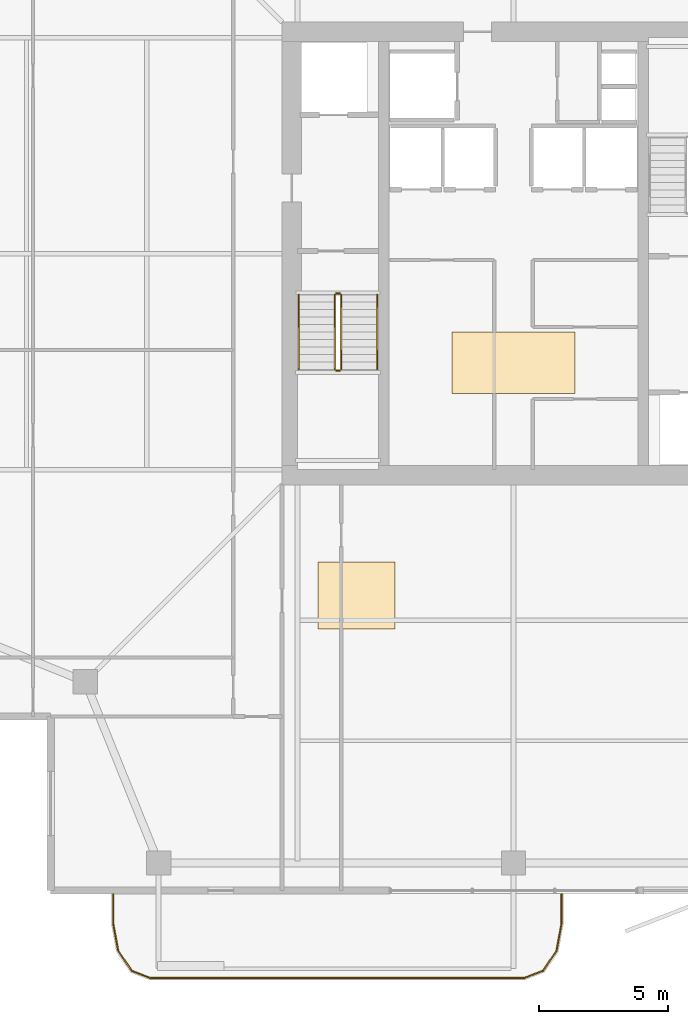
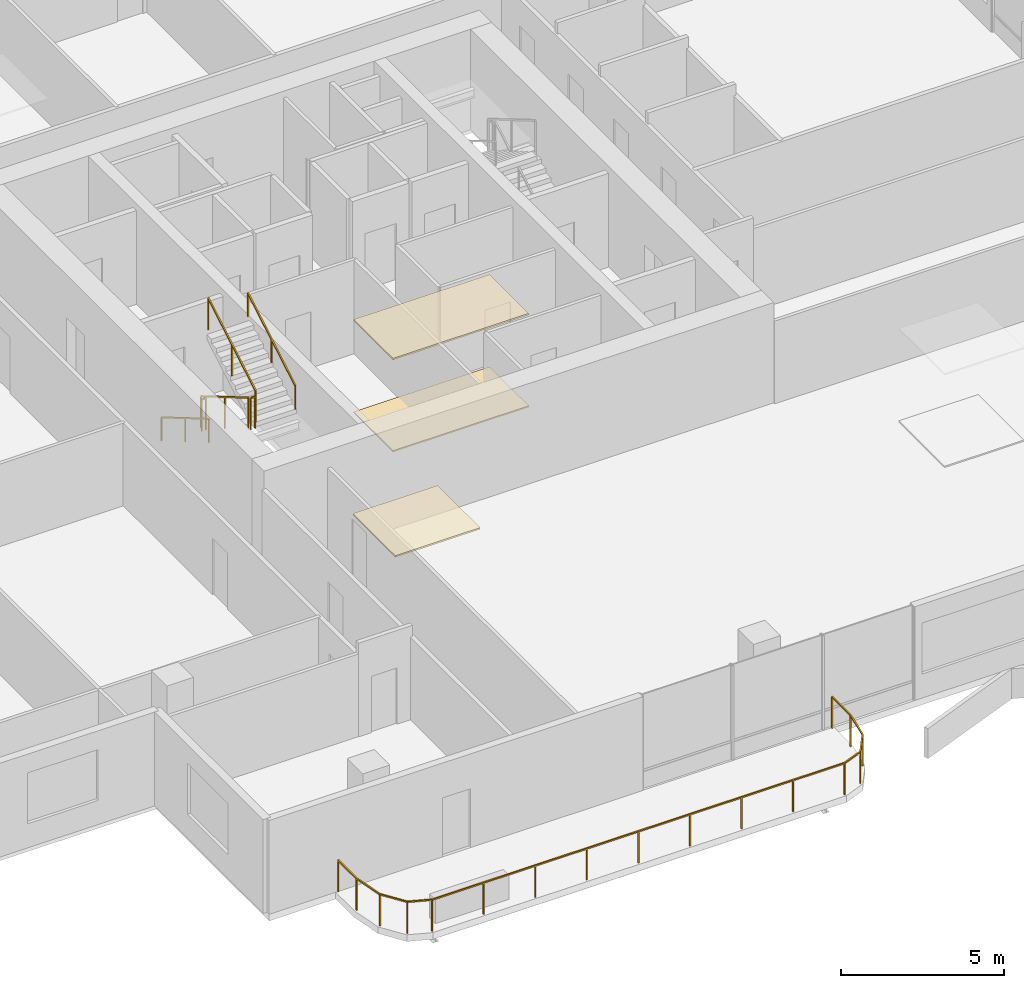
# One storey, part 22 of 25: 7 railings, 3 coverings.
"""IFC4 building model written with IfcOpenShell, lengths in metres."""

from ifc_helpers import new_model, si_unit, direction, frame, origin, origin_2d, place, context, subcontext, project, spatial, polyline, rectangle, outline, extrude, material, layer, layer_set, type_object, element, save


model = new_model("IFC4")

# Units and contexts
model_context = context("Model", 3, precision=1e-05, world=origin(), true_north=direction((0.0, 1.0)))
body_context = subcontext(model_context, "Body", "Model", "MODEL_VIEW")
ifc_project = project(units=[si_unit("LENGTHUNIT", "METRE"), si_unit("AREAUNIT", "SQUARE_METRE"), si_unit("VOLUMEUNIT", "CUBIC_METRE"), si_unit("PLANEANGLEUNIT", "RADIAN"), si_unit("MASSUNIT", "GRAM", prefix="KILO")], contexts=[model_context])

# Site, building, storey
site_placement = place(None, origin())
site = spatial("IfcSite", under=ifc_project, at=site_placement, CompositionType="ELEMENT")
building_placement = place(site_placement, origin())
building = spatial("IfcBuilding", under=site, at=building_placement, Name="Belovzor Exchange Tower", CompositionType="ELEMENT")
storey_placement = place(building_placement, frame((0.0, 0.0, 254.10009765625)))
storey = spatial("IfcBuildingStorey", under=building, at=storey_placement, Name="L63", CompositionType="ELEMENT", Elevation=254.10009765625)

# Railings
ifc_material_1 = material(Name="Stainless Steel Grade 304", Category="steel")
railing_type_1 = type_object("IfcRailingType", Name="Brushed Stainless Steel Stair Handrail 900", PredefinedType="HANDRAIL", material=ifc_material_1)
railing_1_placement = place(storey_placement, frame((20.449951171875, 27.199951171875, 0.17041015625)))
element("IfcRailing", 1, at=railing_1_placement, inside=storey, type_object=railing_type_1, Name="L63 ST-1 stair handrail 1", PredefinedType="HANDRAIL", context=body_context, shape_type="SweptSolid", body=[
    extrude(rectangle(XDim=0.048095703125, YDim=0.048095703125, at=origin_2d()), frame((0.0, 0.0, 0.8759765625), z_axis=(0.0, -0.86209462966, 0.506747323142), x_axis=(1.0, 0.0, 0.0)), (0.0, 0.0, 1.0), 3.36376953125),
    extrude(rectangle(XDim=0.0419921875, YDim=0.0419921875, at=origin_2d()), origin(), (0.0, 0.0, 1.0), 0.851806640625),
    extrude(rectangle(XDim=0.0419921875, YDim=0.0419921875, at=origin_2d()), frame((0.0, -1.449951171875, 0.852294921875)), (0.0, 0.0, 1.0), 0.851806640625),
    extrude(rectangle(XDim=0.0419921875, YDim=0.0419921875, at=origin_2d()), frame((0.0, -2.89990234375, 1.70458984375)), (0.0, 0.0, 1.0), 0.851806640625),
])
railing_2_placement = place(storey_placement, frame((23.5, 24.300048828125, 2.04541015625)))
element("IfcRailing", 2, at=railing_2_placement, inside=storey, type_object=railing_type_1, Name="L63 ST-1 stair handrail 2", PredefinedType="HANDRAIL", context=body_context, shape_type="SweptSolid", body=[
    extrude(rectangle(XDim=0.048095703125, YDim=0.048095703125, at=origin_2d()), frame((0.0, 0.0, 0.8759765625), z_axis=(0.0, 0.86209462966, 0.506747323142), x_axis=(-1.0, 0.0, 0.0)), (0.0, 0.0, 1.0), 3.36376953125),
    extrude(rectangle(XDim=0.0419921875, YDim=0.0419921875, at=origin_2d()), origin(), (0.0, 0.0, 1.0), 0.851806640625),
    extrude(rectangle(XDim=0.0419921875, YDim=0.0419921875, at=origin_2d()), frame((0.0, 1.449951171875, 0.852294921875)), (0.0, 0.0, 1.0), 0.851806640625),
    extrude(rectangle(XDim=0.0419921875, YDim=0.0419921875, at=origin_2d()), frame((0.0, 2.89990234375, 1.70458984375)), (0.0, 0.0, 1.0), 0.851806640625),
])
ifc_material_2 = material(Name="Stainless Steel and Laminated Safety Glass", Category="steel")
railing_type_2 = type_object("IfcRailingType", Name="Laminated Glass & Stainless Steel Balcony Balustrade 1200", PredefinedType="BALUSTRADE", material=ifc_material_2)
railing_3_placement = place(storey_placement, frame((13.22998046875, 3.889892578125, 0.0)))
element("IfcRailing", 3, at=railing_3_placement, inside=storey, type_object=railing_type_2, Name="GR-1 Balcony Balustrade L63 South", PredefinedType="BALUSTRADE", context=body_context, shape_type="SweptSolid", body=[
    extrude(rectangle(XDim=0.048095703125, YDim=0.048095703125, at=origin_2d()), frame((0.0, 0.0, 1.17578125), z_axis=(0.0, -1.0, 0.0), x_axis=(1.0, 0.0, 0.0)), (0.0, 0.0, 1.0), 1.1328125),
    extrude(rectangle(XDim=0.048095703125, YDim=0.048095703125, at=origin_2d()), frame((0.0, -1.1328125, 1.17578125), z_axis=(0.180083182347, -0.983651385113, 0.0), x_axis=(0.983651385113, 0.180083182347, 0.0)), (0.0, 0.0, 1.0), 1.093994140625),
    extrude(rectangle(XDim=0.048095703125, YDim=0.048095703125, at=origin_2d()), frame((0.197021484375, -2.208984375, 1.17578125), z_axis=(0.562768145367, -0.826614792125, 0.0), x_axis=(0.826614792125, 0.562768145367, 0.0)), (0.0, 0.0, 1.0), 0.9326171875),
    extrude(rectangle(XDim=0.048095703125, YDim=0.048095703125, at=origin_2d()), frame((0.721923828125, -2.97998046875, 1.17578125), z_axis=(0.930809580156, -0.365504480807, 0.0), x_axis=(0.365504480807, 0.930809580156, 0.0)), (0.0, 0.0, 1.0), 0.76611328125),
    extrude(rectangle(XDim=0.048095703125, YDim=0.048095703125, at=origin_2d()), frame((1.43505859375, -3.260009765625, 1.17578125), z_axis=(1.0, 0.0, 0.0), x_axis=(0.0, 1.0, 0.0)), (0.0, 0.0, 1.0), 14.570068359375),
    extrude(rectangle(XDim=0.048095703125, YDim=0.048095703125, at=origin_2d()), frame((16.005126953125, -3.260009765625, 1.17578125), z_axis=(0.930766990125, 0.365612923861, 0.0), x_axis=(-0.365612923861, 0.930766990125, 0.0)), (0.0, 0.0, 1.0), 0.765869140625),
    extrude(rectangle(XDim=0.048095703125, YDim=0.048095703125, at=origin_2d()), frame((16.718017578125, -2.97998046875, 1.17578125), z_axis=(0.562768145367, 0.826614792125, 0.0), x_axis=(-0.826614792125, 0.562768145367, 0.0)), (0.0, 0.0, 1.0), 0.9326171875),
    extrude(rectangle(XDim=0.048095703125, YDim=0.048095703125, at=origin_2d()), frame((17.242919921875, -2.208984375, 1.17578125), z_axis=(0.180083182347, 0.983651385113, 0.0), x_axis=(-0.983651385113, 0.180083182347, 0.0)), (0.0, 0.0, 1.0), 1.093994140625),
    extrude(rectangle(XDim=0.048095703125, YDim=0.048095703125, at=origin_2d()), frame((17.43994140625, -1.1328125, 1.17578125), z_axis=(0.0, 1.0, 0.0), x_axis=(-1.0, 0.0, 0.0)), (0.0, 0.0, 1.0), 1.1328125),
    extrude(rectangle(XDim=0.0419921875, YDim=0.0419921875, at=origin_2d()), origin(), (0.0, 0.0, 1.0), 1.15185546875),
    extrude(rectangle(XDim=0.0419921875, YDim=0.0419921875, at=origin_2d()), frame((0.0, -1.1328125, 0.0)), (0.0, 0.0, 1.0), 1.15185546875),
    extrude(rectangle(XDim=0.0419921875, YDim=0.0419921875, at=origin_2d()), frame((0.197021484375, -2.208984375, 0.0)), (0.0, 0.0, 1.0), 1.15185546875),
    extrude(rectangle(XDim=0.0419921875, YDim=0.0419921875, at=origin_2d()), frame((0.721923828125, -2.97998046875, 0.0)), (0.0, 0.0, 1.0), 1.15185546875),
    extrude(rectangle(XDim=0.0419921875, YDim=0.0419921875, at=origin_2d()), frame((1.43505859375, -3.260009765625, 0.0)), (0.0, 0.0, 1.0), 1.15185546875),
    extrude(rectangle(XDim=0.0419921875, YDim=0.0419921875, at=origin_2d()), frame((3.25634765625, -3.260009765625, 0.0)), (0.0, 0.0, 1.0), 1.15185546875),
    extrude(rectangle(XDim=0.0419921875, YDim=0.0419921875, at=origin_2d()), frame((5.07763671875, -3.260009765625, 0.0)), (0.0, 0.0, 1.0), 1.15185546875),
    extrude(rectangle(XDim=0.0419921875, YDim=0.0419921875, at=origin_2d()), frame((6.89892578125, -3.260009765625, 0.0)), (0.0, 0.0, 1.0), 1.15185546875),
    extrude(rectangle(XDim=0.0419921875, YDim=0.0419921875, at=origin_2d()), frame((8.72021484375, -3.260009765625, 0.0)), (0.0, 0.0, 1.0), 1.15185546875),
    extrude(rectangle(XDim=0.0419921875, YDim=0.0419921875, at=origin_2d()), frame((10.541259765625, -3.260009765625, 0.0)), (0.0, 0.0, 1.0), 1.15185546875),
    extrude(rectangle(XDim=0.0419921875, YDim=0.0419921875, at=origin_2d()), frame((12.362548828125, -3.260009765625, 0.0)), (0.0, 0.0, 1.0), 1.15185546875),
    extrude(rectangle(XDim=0.0419921875, YDim=0.0419921875, at=origin_2d()), frame((14.183837890625, -3.260009765625, 0.0)), (0.0, 0.0, 1.0), 1.15185546875),
    extrude(rectangle(XDim=0.0419921875, YDim=0.0419921875, at=origin_2d()), frame((16.005126953125, -3.260009765625, 0.0)), (0.0, 0.0, 1.0), 1.15185546875),
    extrude(rectangle(XDim=0.0419921875, YDim=0.0419921875, at=origin_2d()), frame((16.718017578125, -2.97998046875, 0.0)), (0.0, 0.0, 1.0), 1.15185546875),
    extrude(rectangle(XDim=0.0419921875, YDim=0.0419921875, at=origin_2d()), frame((17.242919921875, -2.208984375, 0.0)), (0.0, 0.0, 1.0), 1.15185546875),
    extrude(rectangle(XDim=0.0419921875, YDim=0.0419921875, at=origin_2d()), frame((17.43994140625, -1.1328125, 0.0)), (0.0, 0.0, 1.0), 1.15185546875),
    extrude(rectangle(XDim=0.0419921875, YDim=0.0419921875, at=origin_2d()), frame((17.43994140625, 0.0, 0.0)), (0.0, 0.0, 1.0), 1.15185546875),
])
ifc_material_3 = material(Name="Steel S355", Category="steel")
railing_type_3 = type_object("IfcRailingType", Name="Painted Steel Stairwell Guardrail 1200", PredefinedType="GUARDRAIL", material=ifc_material_3)
railing_4_placement = place(storey_placement, frame((21.85009765625, 27.199951171875, 0.17041015625)))
element("IfcRailing", 4, at=railing_4_placement, inside=storey, type_object=railing_type_3, Name="L63 ST-1 stair guard 1", PredefinedType="GUARDRAIL", context=body_context, shape_type="SweptSolid", body=[
    extrude(rectangle(XDim=0.048095703125, YDim=0.048095703125, at=origin_2d()), frame((0.0, 0.0, 1.17578125), z_axis=(0.0, -0.86209462966, 0.506747323142), x_axis=(1.0, 0.0, 0.0)), (0.0, 0.0, 1.0), 3.36376953125),
    extrude(rectangle(XDim=0.0419921875, YDim=0.0419921875, at=origin_2d()), origin(), (0.0, 0.0, 1.0), 1.15185546875),
    extrude(rectangle(XDim=0.0419921875, YDim=0.0419921875, at=origin_2d()), frame((0.0, -1.449951171875, 0.852294921875)), (0.0, 0.0, 1.0), 1.15185546875),
    extrude(rectangle(XDim=0.0419921875, YDim=0.0419921875, at=origin_2d()), frame((0.0, -2.89990234375, 1.70458984375)), (0.0, 0.0, 1.0), 1.15185546875),
])
railing_5_placement = place(storey_placement, frame((21.89990234375, 24.25, 1.875)))
element("IfcRailing", 5, at=railing_5_placement, inside=storey, type_object=railing_type_3, Name="L63 ST-1 stair guard 2", PredefinedType="GUARDRAIL", context=body_context, shape_type="SweptSolid", body=[
    extrude(rectangle(XDim=0.048095703125, YDim=0.048095703125, at=origin_2d()), frame((0.0, 0.0, 1.17578125), z_axis=(1.0, 0.0, 0.0), x_axis=(0.0, 1.0, 0.0)), (0.0, 0.0, 1.0), 0.150146484375),
    extrude(rectangle(XDim=0.0419921875, YDim=0.0419921875, at=origin_2d()), origin(), (0.0, 0.0, 1.0), 1.15185546875),
    extrude(rectangle(XDim=0.0419921875, YDim=0.0419921875, at=origin_2d()), frame((0.150146484375, 0.0, 0.0)), (0.0, 0.0, 1.0), 1.15185546875),
])
railing_6_placement = place(storey_placement, frame((22.10009765625, 24.300048828125, 2.04541015625)))
element("IfcRailing", 6, at=railing_6_placement, inside=storey, type_object=railing_type_3, Name="L63 ST-1 stair guard 3", PredefinedType="GUARDRAIL", context=body_context, shape_type="SweptSolid", body=[
    extrude(rectangle(XDim=0.048095703125, YDim=0.048095703125, at=origin_2d()), frame((0.0, 0.0, 1.17578125), z_axis=(0.0, 0.86209462966, 0.506747323142), x_axis=(-1.0, 0.0, 0.0)), (0.0, 0.0, 1.0), 3.36376953125),
    extrude(rectangle(XDim=0.0419921875, YDim=0.0419921875, at=origin_2d()), origin(), (0.0, 0.0, 1.0), 1.15185546875),
    extrude(rectangle(XDim=0.0419921875, YDim=0.0419921875, at=origin_2d()), frame((0.0, 1.449951171875, 0.852294921875)), (0.0, 0.0, 1.0), 1.15185546875),
    extrude(rectangle(XDim=0.0419921875, YDim=0.0419921875, at=origin_2d()), frame((0.0, 2.89990234375, 1.70458984375)), (0.0, 0.0, 1.0), 1.15185546875),
])
railing_7_placement = place(storey_placement, frame((21.89990234375, 27.25, 0.0)))
element("IfcRailing", 7, at=railing_7_placement, inside=storey, type_object=railing_type_3, Name="L63 ST-1 stair guard 4", PredefinedType="GUARDRAIL", context=body_context, shape_type="SweptSolid", body=[
    extrude(rectangle(XDim=0.048095703125, YDim=0.048095703125, at=origin_2d()), frame((0.0, 0.0, 1.17578125), z_axis=(1.0, 0.0, 0.0), x_axis=(0.0, 1.0, 0.0)), (0.0, 0.0, 1.0), 0.150146484375),
    extrude(rectangle(XDim=0.0419921875, YDim=0.0419921875, at=origin_2d()), origin(), (0.0, 0.0, 1.0), 1.15185546875),
    extrude(rectangle(XDim=0.0419921875, YDim=0.0419921875, at=origin_2d()), frame((0.150146484375, 0.0, 0.0)), (0.0, 0.0, 1.0), 1.15185546875),
])

# Coverings
ifc_material_4 = material(Name="Perforated Powder-Coated Aluminium", Category="aluminium")
ifc_layer_1 = layer(ifc_material_4, 0.06005859375)
ifc_layer_set_1 = layer_set([ifc_layer_1], Name="Perforated Powder-Coated Aluminium")
covering_type_1 = type_object("IfcCoveringType", Name="Perforated Acoustic Metal Tile Suspended Ceiling 60", PredefinedType="CEILING", material=ifc_layer_set_1)
covering_1_placement = place(storey_placement, frame((0.0, 0.0, 3.43994140625)))
element("IfcCovering", 8, at=covering_1_placement, inside=storey, type_object=covering_type_1, Name="CLG-AC60 Suspended Ceiling CLG-L63-LOB", PredefinedType="CEILING", context=body_context, shape_type="SweptSolid", body=[
    extrude(outline(polyline([(26.39990234375, 23.35009765625), (31.199951171875, 23.35009765625), (31.199951171875, 25.75), (26.39990234375, 25.75), (26.39990234375, 23.35009765625)])), origin(), (0.0, 0.0, 1.0), 0.06005859375),
])
covering_2_placement = place(storey_placement, frame((0.0, 0.0, 3.43994140625)))
element("IfcCovering", 9, at=covering_2_placement, inside=storey, type_object=covering_type_1, Name="CLG-AC60 Suspended Ceiling CLG-L63-Z0", PredefinedType="CEILING", context=body_context, shape_type="SweptSolid", body=[
    extrude(outline(polyline([(21.199951171875, 14.199951171875), (24.199951171875, 14.199951171875), (24.199951171875, 16.800048828125), (21.199951171875, 16.800048828125), (21.199951171875, 14.199951171875)])), origin(), (0.0, 0.0, 1.0), 0.06005859375),
])
ifc_material_5 = material(Name="Polished Natural Granite Tile", Category="masonry")
ifc_layer_2 = layer(ifc_material_5, 0.050048828125)
ifc_layer_set_2 = layer_set([ifc_layer_2], Name="Polished Natural Granite Tile")
covering_type_2 = type_object("IfcCoveringType", Name="Polished Karelian Granite & Raised Access Floor Finish 50", PredefinedType="FLOORING", material=ifc_layer_set_2)
covering_3_placement = place(storey_placement, origin())
element("IfcCovering", 10, at=covering_3_placement, inside=storey, type_object=covering_type_2, Name="FLR-GR50 Floor Finish FLR-L63-LOB", PredefinedType="FLOORING", context=body_context, shape_type="SweptSolid", body=[
    extrude(outline(polyline([(26.39990234375, 23.35009765625), (31.199951171875, 23.35009765625), (31.199951171875, 25.75), (26.39990234375, 25.75), (26.39990234375, 23.35009765625)])), origin(), (0.0, 0.0, 1.0), 0.0498046875),
])

save(model, "model.ifc")
